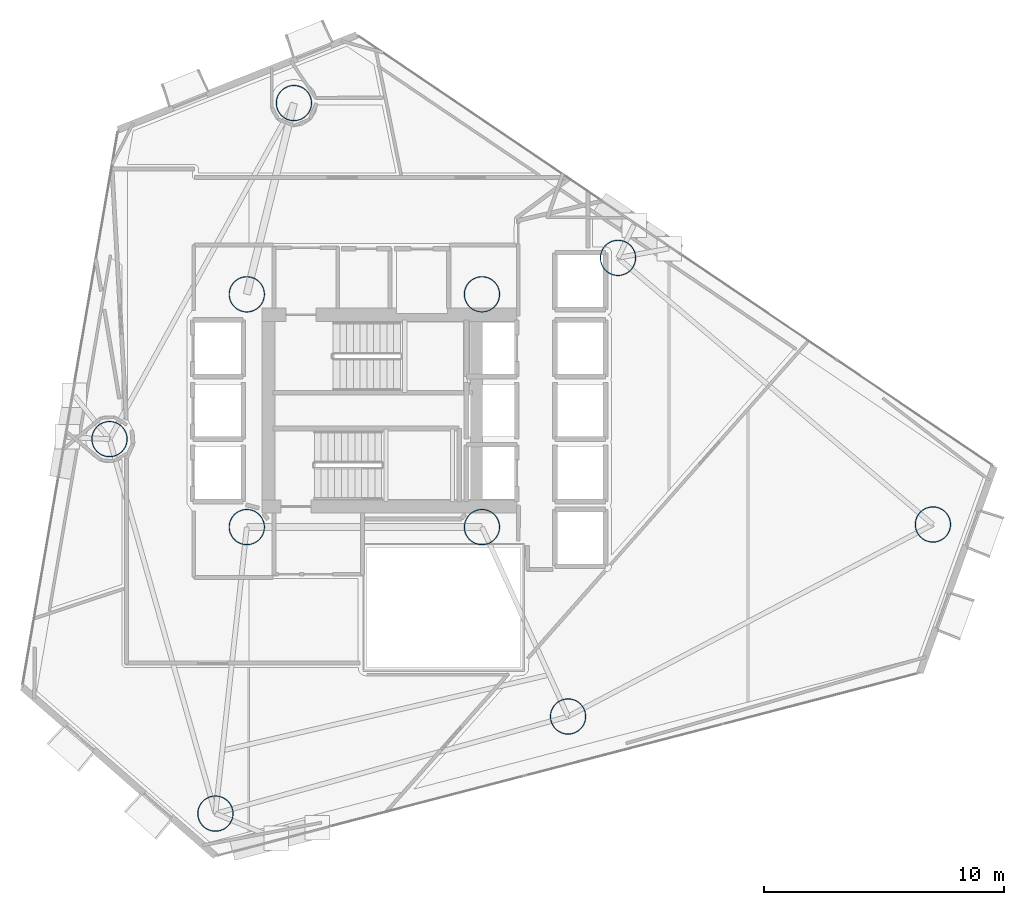
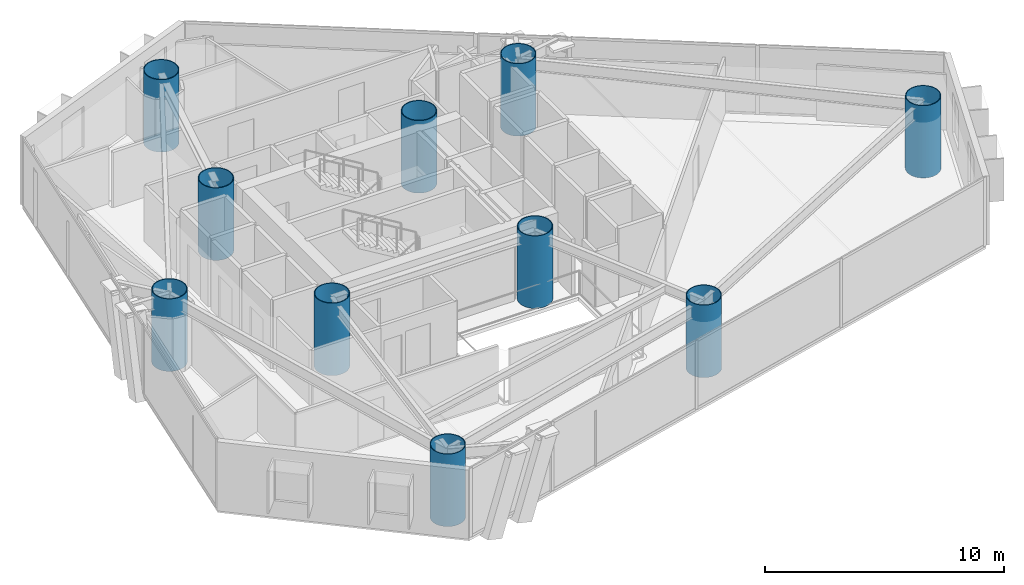
# One storey, part 1 of 21: 10 columns.
"""IFC4 building model written with IfcOpenShell, lengths in metres."""

from ifc_helpers import new_model, si_unit, direction, frame, origin, origin_2d, place, context, subcontext, project, spatial, hollow_circle, extrude, material, material_profile, profile_set, type_object, element, save


model = new_model("IFC4")

# Units and contexts
model_context = context("Model", 3, precision=1e-05, world=origin(), true_north=direction((0.0, 1.0)))
body_context = subcontext(model_context, "Body", "Model", "MODEL_VIEW")
ifc_project = project(units=[si_unit("LENGTHUNIT", "METRE"), si_unit("AREAUNIT", "SQUARE_METRE"), si_unit("VOLUMEUNIT", "CUBIC_METRE"), si_unit("PLANEANGLEUNIT", "RADIAN"), si_unit("MASSUNIT", "GRAM", prefix="KILO")], contexts=[model_context])

# Site, building, storey
site_placement = place(None, origin())
site = spatial("IfcSite", under=ifc_project, at=site_placement, CompositionType="ELEMENT")
building_placement = place(site_placement, origin())
building = spatial("IfcBuilding", under=site, at=building_placement, Name="Qianvela Tower", CompositionType="ELEMENT")
storey_placement = place(building_placement, frame((0.0, 0.0, 105.199951171875)))
storey = spatial("IfcBuildingStorey", under=building, at=storey_placement, Name="L26", CompositionType="ELEMENT", Elevation=105.199951171875)

# Columns
ifc_material = material(Name="Steel Q420GJC", Category="steel")
ifc_material_profile = material_profile(ifc_material, hollow_circle(Radius=0.75, WallThickness=0.035888671875, at=origin_2d()), Name="CFT-1500x36")
ifc_profile_set = profile_set([ifc_material_profile], Name="Steel Q420GJC")
column_type = type_object("IfcColumnType", Name="COL-CFT-1500x36", PredefinedType="COLUMN", material=ifc_profile_set)
for number, where, z_axis, x_axis, name in (
    (1, (28.60009765625, 33.550048828125, 0.0), (0.0, 0.0, 1.0), (1.0, 0.0, 0.0), "L26 Core Corner Mega-Column CC-NW"),
    (2, (28.60009765625, 23.85009765625, 0.0), (0.0, 0.0, 1.0), (1.0, 0.0, 0.0), "L26 Core Corner Mega-Column CC-SW"),
    (3, (38.39990234375, 33.550048828125, 0.0), (0.0, 0.0, 1.0), (1.0, 0.0, 0.0), "L26 Core Corner Mega-Column CC-NE"),
    (4, (38.39990234375, 23.85009765625, 0.0), (0.0, 0.0, 1.0), (1.0, 0.0, 0.0), "L26 Core Corner Mega-Column CC-SE"),
    (5, (57.194091796875, 23.9580078125, 0.0), (0.0, 0.0, 1.0), (1.0, 0.0, 0.0), "L26 Zone Z3 CFT Mega-Column C1"),
    (6, (44.071044921875, 35.070068359375, 0.0), (0.0, 0.0, 1.0), (1.0, 0.0, 0.0), "L26 Zone Z3 CFT Mega-Column C2"),
    (7, (30.56396484375, 41.52099609375, 0.0), (0.0, 0.0, 1.0), (1.0, 0.0, 0.0), "L26 Zone Z3 CFT Mega-Column C3"),
    (8, (22.8779296875, 27.51611328125, 0.0), (0.0, 0.0, 1.0), (1.0, 0.0, 0.0), "L26 Zone Z3 CFT Mega-Column C4"),
    (9, (27.2919921875, 11.908935546875, 0.0), (0.0, 0.0, 1.0), (1.0, 0.0, 0.0), "L26 Zone Z3 CFT Mega-Column C5"),
    (10, (41.988037109375, 15.95703125, 0.0), (0.0, 0.0, 1.0), (1.0, 0.0, 0.0), "L26 Zone Z3 CFT Mega-Column C6"),
):
    element("IfcColumn", number, at=place(storey_placement, frame(where, z_axis=z_axis, x_axis=x_axis)), inside=storey, type_object=column_type, Name=name, PredefinedType="COLUMN", context=body_context, shape_type="SweptSolid", body=[
        extrude(hollow_circle(Radius=0.75, WallThickness=0.035888671875, at=origin_2d()), origin(), (0.0, 0.0, 1.0), 3.699951171875),
    ])

save(model, "model.ifc")
